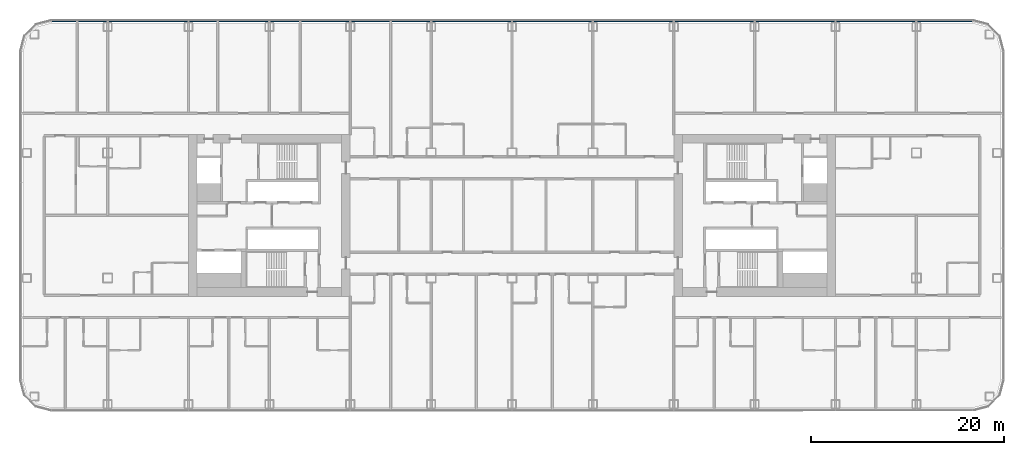
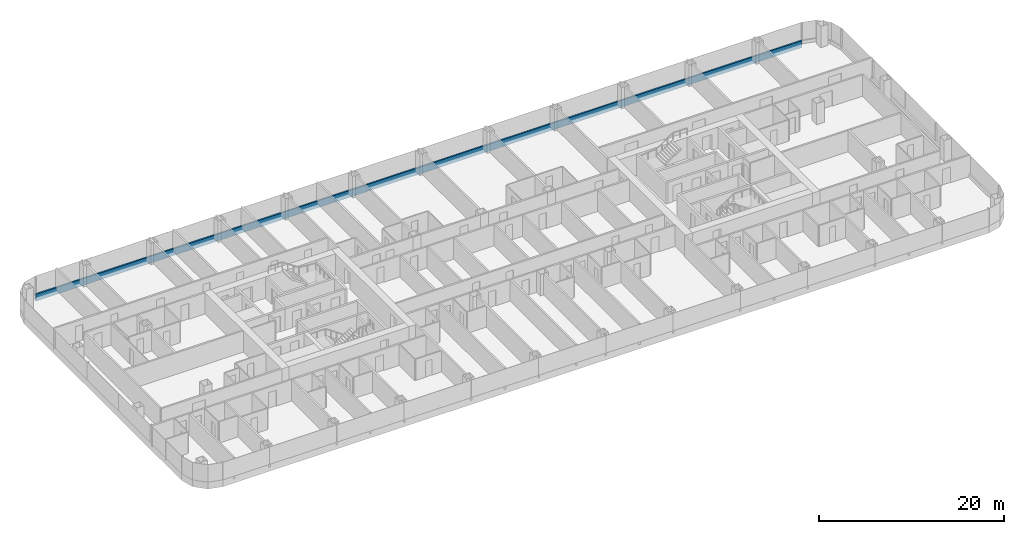
# One storey, part 8 of 29: 1 member, 1 element without a shape of its own.
"""IFC4 building model written with IfcOpenShell, lengths in metres."""

from ifc_helpers import new_model, si_unit, direction, frame, origin, origin_2d, place, context, subcontext, project, spatial, rectangle, extrude, material, layer, layer_set, material_profile, profile_set, type_object, element, aggregate, save


model = new_model("IFC4")

# Units and contexts
model_context = context("Model", 3, precision=1e-05, world=origin(), true_north=direction((0.0, 1.0)))
body_context = subcontext(model_context, "Body", "Model", "MODEL_VIEW")
ifc_project = project(units=[si_unit("LENGTHUNIT", "METRE"), si_unit("AREAUNIT", "SQUARE_METRE"), si_unit("VOLUMEUNIT", "CUBIC_METRE"), si_unit("PLANEANGLEUNIT", "RADIAN"), si_unit("MASSUNIT", "GRAM", prefix="KILO")], contexts=[model_context])

# Site, building, storey
site_placement = place(None, origin())
site = spatial("IfcSite", under=ifc_project, at=site_placement, CompositionType="ELEMENT")
building_placement = place(site_placement, origin())
building = spatial("IfcBuilding", under=site, at=building_placement, Name="Hakoniwa Tower and Hamabe Station Hall", CompositionType="ELEMENT")
storey_placement = place(building_placement, frame((0.0, 0.0, 45.39990234375)))
storey = spatial("IfcBuildingStorey", under=building, at=storey_placement, Name="L12", CompositionType="ELEMENT", Elevation=45.39990234375)

# Curtain wall, member
ifc_material_1 = material(Name="Dark low-e laminated glass", Category="glass")
ifc_layer = layer(ifc_material_1, 0.199951171875)
ifc_layer_set = layer_set([ifc_layer], Name="CW-1 UNITISED GUEST")
curtain_wall_type = type_object("IfcCurtainWallType", Name="CW-1 UNITISED GUEST", PredefinedType="NOTDEFINED", material=ifc_layer_set)
curtain_wall_placement = place(storey_placement, origin())
curtain_wall = element("IfcCurtainWall", 1, at=curtain_wall_placement, inside=storey, type_object=curtain_wall_type, Name="CW-1 curtain wall", PredefinedType="NOTDEFINED")
ifc_material_2 = material(Name="Aluminium 6063-T5 black anodised", Category="aluminium")
ifc_material_profile = material_profile(ifc_material_2, rectangle(XDim=0.199951171875, YDim=0.89990234375, at=origin_2d()), Name="CW SLAB-EDGE BAND 900X200")
ifc_profile_set = profile_set([ifc_material_profile], Name="Aluminium 6063-T5 black anodised")
member_type = type_object("IfcMemberType", Name="CW SLAB-EDGE BAND 900X200", PredefinedType="USERDEFINED", material=ifc_profile_set)
member_placement = place(storey_placement, frame((47.839599609375, 20.199951171875, -0.099853515625), z_axis=(-1.0, 0.0, 0.0), x_axis=(0.0, -1.0, 0.0)))
member = element("IfcMember", 2, at=member_placement, type_object=member_type, Name="CW-1 transom", ObjectType="TRANSOM", PredefinedType="USERDEFINED", context=body_context, shape_type="SweptSolid", body=[
    extrude(rectangle(XDim=0.199951171875, YDim=0.89990234375, at=origin_2d()), origin(), (0.0, 0.0, 1.0), 95.67919921875),
])
aggregate(curtain_wall, [member])

save(model, "model.ifc")
